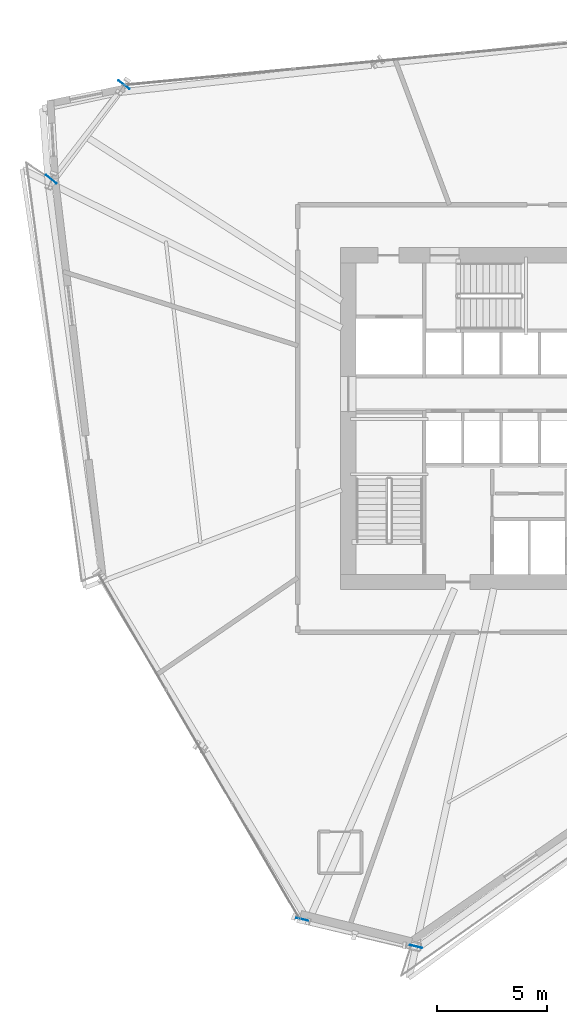
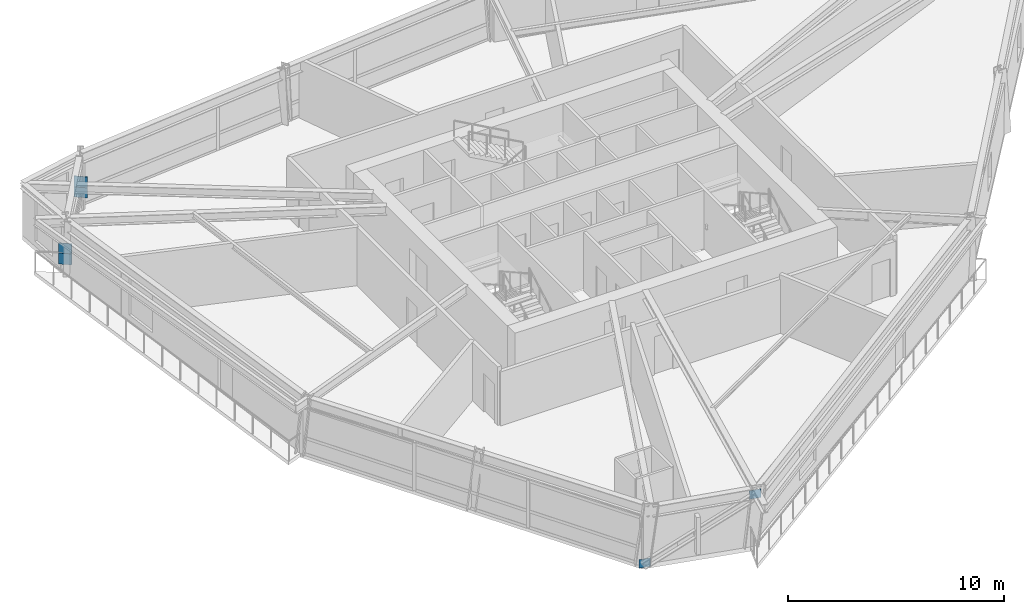
# One storey, part 9 of 17: 6 plates.
"""IFC4 building model written with IfcOpenShell, lengths in metres."""

from ifc_helpers import new_model, si_unit, direction, frame, origin, origin_2d, place, context, subcontext, project, spatial, rectangle, extrude, source, transform, mapped, material, type_object, element, save


model = new_model("IFC4")

# Units and contexts
model_context = context("Model", 3, precision=1e-05, world=origin(), true_north=direction((0.0, 1.0)))
body_context = subcontext(model_context, "Body", "Model", "MODEL_VIEW")
ifc_project = project(units=[si_unit("LENGTHUNIT", "METRE"), si_unit("AREAUNIT", "SQUARE_METRE"), si_unit("VOLUMEUNIT", "CUBIC_METRE"), si_unit("PLANEANGLEUNIT", "RADIAN"), si_unit("MASSUNIT", "GRAM", prefix="KILO")], contexts=[model_context])

# Site, building, storey
site_placement = place(None, origin())
site = spatial("IfcSite", under=ifc_project, at=site_placement, CompositionType="ELEMENT")
building_placement = place(site_placement, origin())
building = spatial("IfcBuilding", under=site, at=building_placement, Name="Olszyna Solenne Hotel", CompositionType="ELEMENT")
storey_placement = place(building_placement, frame((0.0, 0.0, 116.35009765625)))
storey = spatial("IfcBuildingStorey", under=building, at=storey_placement, Name="L30", CompositionType="ELEMENT", Elevation=116.35009765625)

# Plates
ifc_material_1 = material(Name="Steel S460M", Category="steel")
plate_type_1 = type_object("IfcPlateType", Name="GP-CAP2", PredefinedType="USERDEFINED", material=ifc_material_1)
shared_shape_1 = source(origin(), body_context, "Body", "SweptSolid", [
    extrude(rectangle(XDim=0.030029296875, YDim=0.6201171875, at=origin_2d()), origin(), (0.0, 0.0, 1.0), 0.6201171875),
])
for number, where, z_axis, x_axis, name in (
    (1, (19.5244140625, 41.816162109375, 1.039794921875), (0.0, 0.0, 1.0), (-0.610145163901, -0.792289643355, 0.0), "Hollow section end-cap plate GP-CAP2 CP-PR-M-L30-PR1-1"),
    (2, (16.205078125, 37.505615234375, 1.039794921875), (0.0, 0.0, 1.0), (-0.610145163901, -0.792289643355, 0.0), "Hollow section end-cap plate GP-CAP2 CP-PR-M-L30-PR1-2"),
    (3, (19.5244140625, 41.816162109375, 0.4697265625), (0.0, 0.0, 1.0), (-0.610145163901, -0.792289643355, 0.0), "Hollow section end-cap plate GP-CAP2 CP-PR-M-L30-PR2-1"),
    (4, (16.205078125, 37.505615234375, 0.4697265625), (0.0, 0.0, 1.0), (-0.610145163901, -0.792289643355, 0.0), "Hollow section end-cap plate GP-CAP2 CP-PR-M-L30-PR2-2"),
):
    element("IfcPlate", number, at=place(storey_placement, frame(where, z_axis=z_axis, x_axis=x_axis)), inside=storey, type_object=plate_type_1, Name=name, ObjectType="GUSSET_PLATE", PredefinedType="USERDEFINED", context=body_context, shape_type="MappedRepresentation", body=[
        mapped(shared_shape_1, transform((0.0, 0.0, 0.0), x_axis=(1.0, 0.0, 0.0), y_axis=(0.0, 1.0, 0.0), z_axis=(0.0, 0.0, 1.0), scale=1.0)),
    ])
ifc_material_2 = material(Name="Steel S355J2", Category="steel")
plate_type_2 = type_object("IfcPlateType", Name="GP-ND2", PredefinedType="USERDEFINED", material=ifc_material_2)
shared_shape_2 = source(origin(), body_context, "Body", "SweptSolid", [
    extrude(rectangle(XDim=0.56005859375, YDim=0.02001953125, at=origin_2d()), origin(), (0.0, 0.0, 1.0), 0.47998046875),
])
for number, where, z_axis, x_axis, name in (
    (5, (27.64990234375, 3.772216796875, -0.16455078125), (0.0, 0.0, 1.0), (0.972613850605, -0.232426972642, 0.0), "Brace end connection gusset plate GP-ND2 EP-BR-L30-3-1"),
    (6, (32.83447265625, 2.53271484375, 2.664306640625), (0.0, 0.0, 1.0), (0.972613850605, -0.232426972642, 0.0), "Brace end connection gusset plate GP-ND2 EP-BR-L30-3-2"),
):
    element("IfcPlate", number, at=place(storey_placement, frame(where, z_axis=z_axis, x_axis=x_axis)), inside=storey, type_object=plate_type_2, Name=name, ObjectType="GUSSET_PLATE", PredefinedType="USERDEFINED", context=body_context, shape_type="MappedRepresentation", body=[
        mapped(shared_shape_2, transform((0.0, 0.0, 0.0), x_axis=(1.0, 0.0, 0.0), y_axis=(0.0, 1.0, 0.0), z_axis=(0.0, 0.0, 1.0), scale=1.0)),
    ])

save(model, "model.ifc")
